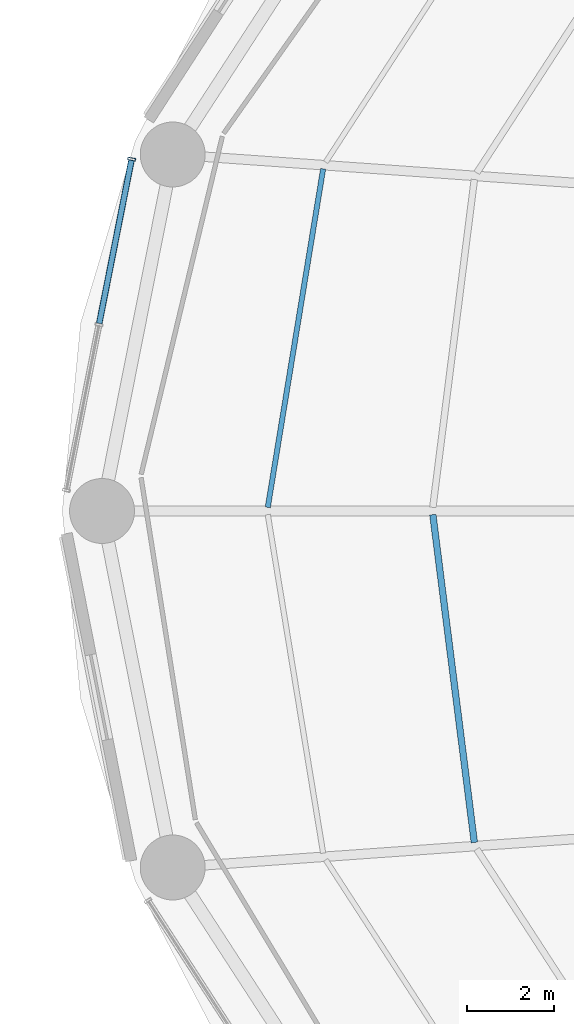
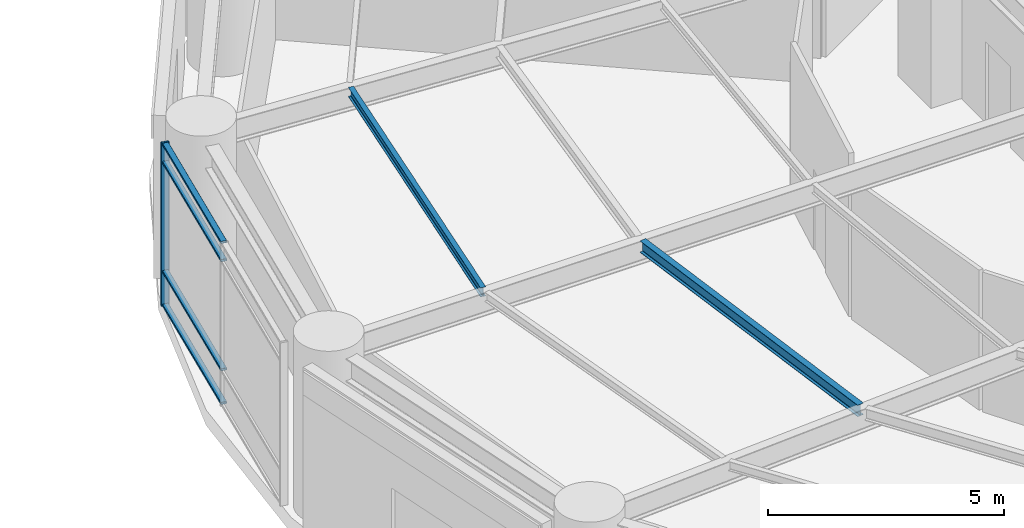
# One storey, part 14 of 46: 5 members, 2 beams, 1 element without a shape of its own.
"""IFC4 building model written with IfcOpenShell, lengths in metres."""

from ifc_helpers import new_model, si_unit, direction, frame, origin, origin_2d, place, context, subcontext, project, spatial, hollow_rectangle, i_section, extrude, material, layer, layer_set, material_profile, profile_set, type_object, element, aggregate, save


model = new_model("IFC4")

# Units and contexts
model_context = context("Model", 3, precision=1e-05, world=origin(), true_north=direction((0.0, 1.0)))
body_context = subcontext(model_context, "Body", "Model", "MODEL_VIEW")
ifc_project = project(units=[si_unit("LENGTHUNIT", "METRE"), si_unit("AREAUNIT", "SQUARE_METRE"), si_unit("VOLUMEUNIT", "CUBIC_METRE"), si_unit("PLANEANGLEUNIT", "RADIAN"), si_unit("MASSUNIT", "GRAM", prefix="KILO")], contexts=[model_context])

# Site, building, storey
site_placement = place(None, origin())
site = spatial("IfcSite", under=ifc_project, at=site_placement, CompositionType="ELEMENT")
building_placement = place(site_placement, origin())
building = spatial("IfcBuilding", under=site, at=building_placement, Name="Kelanora Arch Commons", CompositionType="ELEMENT")
storey_placement = place(building_placement, frame((0.0, 0.0, 18.0)))
storey = spatial("IfcBuildingStorey", under=building, at=storey_placement, Name="L04", CompositionType="ELEMENT", Elevation=18.0)

# Beams
ifc_material_1 = material(Name="Steel S355", Category="steel")
ifc_material_profile_1 = material_profile(ifc_material_1, i_section(OverallWidth=0.14990234375, OverallDepth=0.300048828125, WebThickness=0.007080078125, FlangeThickness=0.0107421875, FilletRadius=0.014892578125, at=origin_2d()), Name="IPE300")
ifc_profile_set_1 = profile_set([ifc_material_profile_1], Name="Steel S355")
beam_type_1 = type_object("IfcBeamType", Name="BM-JST-01", PredefinedType="JOIST", material=ifc_profile_set_1)
beam_1_placement = place(storey_placement, frame((54.562744140625, 57.915771484375, 4.090087890625), z_axis=(0.125565841651, -0.992085288375, 0.0), x_axis=(0.992085288375, 0.125565841651, 0.0)))
element("IfcBeam", 1, at=beam_1_placement, inside=storey, type_object=beam_type_1, Name="Secondary Chord Joist BJB-18 L04", PredefinedType="JOIST", context=body_context, shape_type="SweptSolid", body=[
    extrude(i_section(OverallWidth=0.14990234375, OverallDepth=0.300048828125, WebThickness=0.007080078125, FlangeThickness=0.0107421875, FilletRadius=0.014892578125, at=origin_2d()), origin(), (0.0, 0.0, 1.0), 7.63330078125),
])
ifc_material_profile_2 = material_profile(ifc_material_1, i_section(OverallWidth=0.1201171875, OverallDepth=0.239990234375, WebThickness=0.006103515625, FlangeThickness=0.009765625, FilletRadius=0.014892578125, at=origin_2d()), Name="IPE240")
ifc_profile_set_2 = profile_set([ifc_material_profile_2], Name="Steel S355")
beam_type_2 = type_object("IfcBeamType", Name="BM-JST-02", PredefinedType="JOIST", material=ifc_profile_set_2)
beam_2_placement = place(storey_placement, frame((52.02880859375, 65.90478515625, 4.1201171875), z_axis=(-0.161400737199, -0.986888951216, 0.0), x_axis=(0.986888951216, -0.161400737199, 0.0)))
element("IfcBeam", 2, at=beam_2_placement, inside=storey, type_object=beam_type_2, Name="Secondary Chord Joist BJC-16 L04", PredefinedType="JOIST", context=body_context, shape_type="SweptSolid", body=[
    extrude(i_section(OverallWidth=0.1201171875, OverallDepth=0.239990234375, WebThickness=0.006103515625, FlangeThickness=0.009765625, FilletRadius=0.014892578125, at=origin_2d()), origin(), (0.0, 0.0, 1.0), 7.9248046875),
])

# Curtain wall, members
ifc_material_2 = material(Name="Terracotta ceramic-fritted low-E glass and aluminium", Category="masonry")
ifc_layer = layer(ifc_material_2, 0.2099609375)
ifc_layer_set = layer_set([ifc_layer], Name="Terracotta ceramic-fritted low-E glass and aluminium")
curtain_wall_type = type_object("IfcCurtainWallType", Name="CW-SYS-04", PredefinedType="NOTDEFINED", material=ifc_layer_set)
curtain_wall_placement = place(storey_placement, origin())
curtain_wall = element("IfcCurtainWall", 3, at=curtain_wall_placement, inside=storey, type_object=curtain_wall_type, Name="Unitised Curtain Wall L04-B08", PredefinedType="NOTDEFINED")
ifc_material_3 = material(Name="Powder-coated aluminium terracotta", Category="masonry")
ifc_material_profile_3 = material_profile(ifc_material_3, hollow_rectangle(XDim=0.179931640625, YDim=0.06005859375, WallThickness=0.0048828125, InnerFilletRadius=0.0048828125, OuterFilletRadius=0.010009765625, at=origin_2d()), Name="CWM180x60")
ifc_profile_set_3 = profile_set([ifc_material_profile_3], Name="Powder-coated aluminium terracotta")
member_type_1 = type_object("IfcMemberType", Name="CWM-HVY", PredefinedType="MULLION", material=ifc_profile_set_3)
member_1_placement = place(storey_placement, frame((47.60546875, 66.12939453125, 0.0), z_axis=(0.0, 0.0, 1.0), x_axis=(0.981053537743, -0.193736821698, 0.0)))
member_1 = element("IfcMember", 4, at=member_1_placement, type_object=member_type_1, Name="CW-04 mullion 1", PredefinedType="MULLION", context=body_context, shape_type="SweptSolid", body=[
    extrude(hollow_rectangle(XDim=0.179931640625, YDim=0.06005859375, WallThickness=0.0048828125, InnerFilletRadius=0.0048828125, OuterFilletRadius=0.010009765625, at=origin_2d()), origin(), (0.0, 0.0, 1.0), 4.22509765625),
])
ifc_material_profile_4 = material_profile(ifc_material_3, hollow_rectangle(XDim=0.139892578125, YDim=0.06005859375, WallThickness=0.0048828125, InnerFilletRadius=0.0048828125, OuterFilletRadius=0.010009765625, at=origin_2d()), Name="CWT140x60")
ifc_profile_set_4 = profile_set([ifc_material_profile_4], Name="Powder-coated aluminium terracotta")
member_type_2 = type_object("IfcMemberType", Name="CWT-HVY", PredefinedType="USERDEFINED", material=ifc_profile_set_4)
member_2_placement = place(storey_placement, frame((47.599609375, 66.099853515625, 0.030029296875), z_axis=(-0.193779617254, -0.981045085578, 0.0), x_axis=(0.981045085578, -0.193779617254, 0.0)))
member_2 = element("IfcMember", 5, at=member_2_placement, type_object=member_type_2, Name="CW-04 transom 1.1", ObjectType="TRANSOM", PredefinedType="USERDEFINED", context=body_context, shape_type="SweptSolid", body=[
    extrude(hollow_rectangle(XDim=0.139892578125, YDim=0.06005859375, WallThickness=0.0048828125, InnerFilletRadius=0.0048828125, OuterFilletRadius=0.010009765625, at=origin_2d()), origin(), (0.0, 0.0, 1.0), 3.8388671875),
])
member_3_placement = place(storey_placement, frame((47.599609375, 66.099853515625, 0.89990234375), z_axis=(-0.193779617254, -0.981045085578, 0.0), x_axis=(0.981045085578, -0.193779617254, 0.0)))
member_3 = element("IfcMember", 6, at=member_3_placement, type_object=member_type_2, Name="CW-04 transom 1.2", ObjectType="TRANSOM", PredefinedType="USERDEFINED", context=body_context, shape_type="SweptSolid", body=[
    extrude(hollow_rectangle(XDim=0.139892578125, YDim=0.06005859375, WallThickness=0.0048828125, InnerFilletRadius=0.0048828125, OuterFilletRadius=0.010009765625, at=origin_2d()), origin(), (0.0, 0.0, 1.0), 3.8388671875),
])
member_4_placement = place(storey_placement, frame((47.599609375, 66.099853515625, 3.72509765625), z_axis=(-0.193779617254, -0.981045085578, 0.0), x_axis=(0.981045085578, -0.193779617254, 0.0)))
member_4 = element("IfcMember", 7, at=member_4_placement, type_object=member_type_2, Name="CW-04 transom 1.3", ObjectType="TRANSOM", PredefinedType="USERDEFINED", context=body_context, shape_type="SweptSolid", body=[
    extrude(hollow_rectangle(XDim=0.139892578125, YDim=0.06005859375, WallThickness=0.0048828125, InnerFilletRadius=0.0048828125, OuterFilletRadius=0.010009765625, at=origin_2d()), origin(), (0.0, 0.0, 1.0), 3.8388671875),
])
member_5_placement = place(storey_placement, frame((47.599609375, 66.099853515625, 4.195068359375), z_axis=(-0.193779617254, -0.981045085578, 0.0), x_axis=(0.981045085578, -0.193779617254, 0.0)))
member_5 = element("IfcMember", 8, at=member_5_placement, type_object=member_type_2, Name="CW-04 transom 1.4", ObjectType="TRANSOM", PredefinedType="USERDEFINED", context=body_context, shape_type="SweptSolid", body=[
    extrude(hollow_rectangle(XDim=0.139892578125, YDim=0.06005859375, WallThickness=0.0048828125, InnerFilletRadius=0.0048828125, OuterFilletRadius=0.010009765625, at=origin_2d()), origin(), (0.0, 0.0, 1.0), 3.8388671875),
])
aggregate(curtain_wall, [member_1, member_2, member_3, member_4, member_5])

save(model, "model.ifc")
